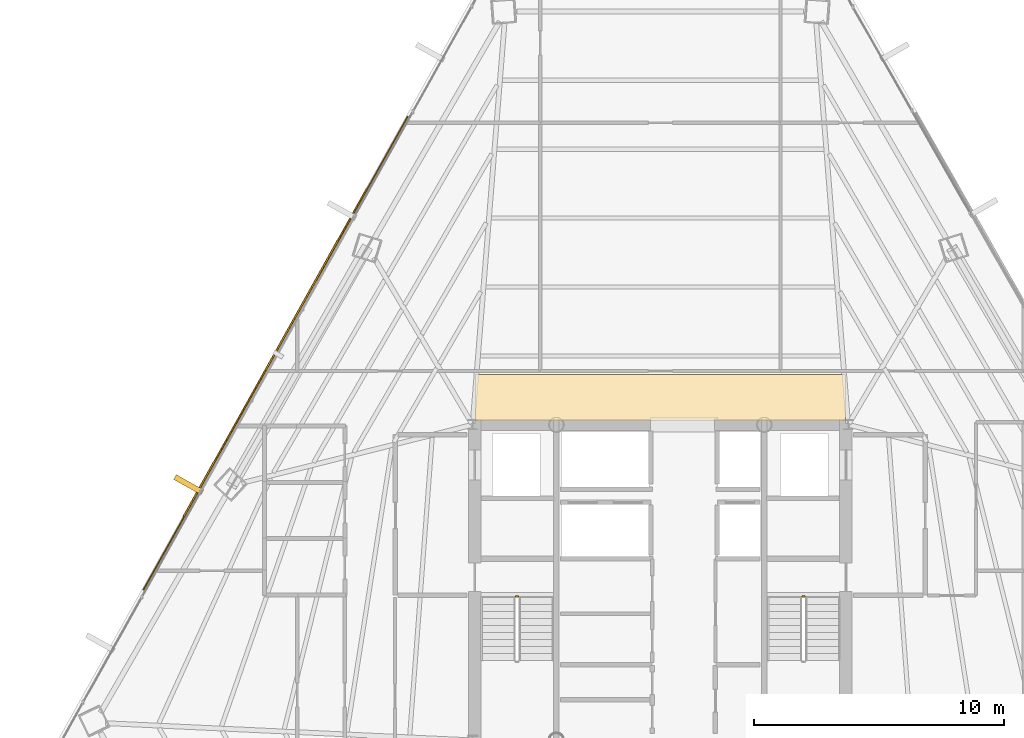
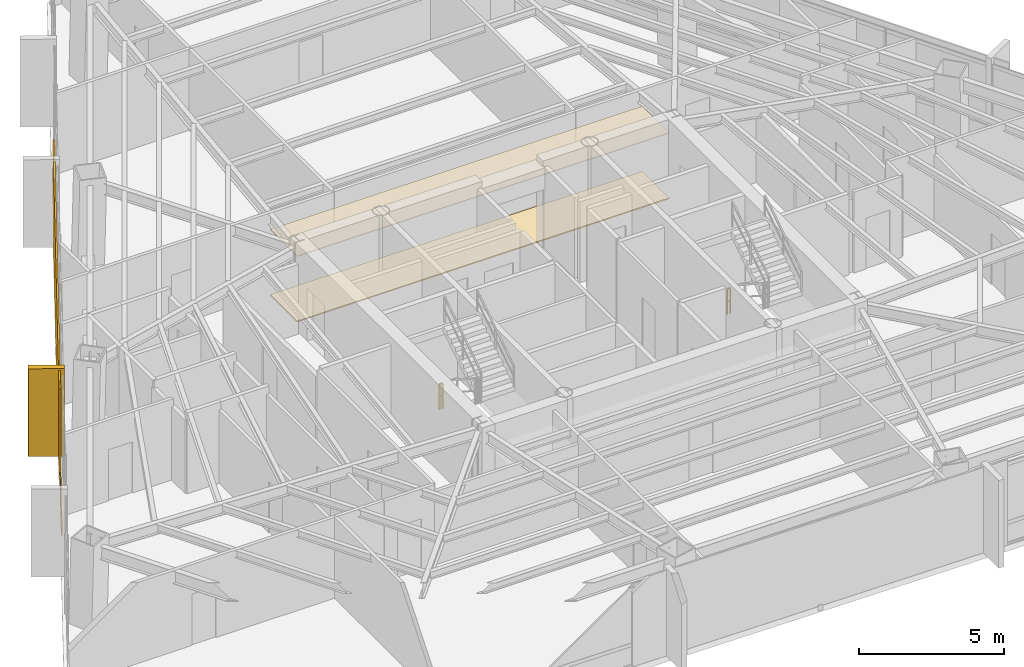
# One storey, part 37 of 38: 4 coverings, 2 railings, 1 shading device.
"""IFC4 building model written with IfcOpenShell, lengths in metres."""

from ifc_helpers import new_model, si_unit, direction, frame, origin, origin_2d, place, context, subcontext, project, spatial, polyline, rectangle, outline, extrude, source, transform, mapped, material, layer, layer_set, type_object, type_shapes, element, save


model = new_model("IFC4")

# Units and contexts
model_context = context("Model", 3, precision=1e-05, world=origin(), true_north=direction((0.0, 1.0)))
body_context = subcontext(model_context, "Body", "Model", "MODEL_VIEW")
ifc_project = project(units=[si_unit("LENGTHUNIT", "METRE"), si_unit("AREAUNIT", "SQUARE_METRE"), si_unit("VOLUMEUNIT", "CUBIC_METRE"), si_unit("PLANEANGLEUNIT", "RADIAN"), si_unit("MASSUNIT", "GRAM", prefix="KILO")], contexts=[model_context])

# Site, building, storey
site_placement = place(None, origin())
site = spatial("IfcSite", under=ifc_project, at=site_placement, CompositionType="ELEMENT")
building_placement = place(site_placement, origin())
building = spatial("IfcBuilding", under=site, at=building_placement, Name="Caelisora Broadcast Tower", CompositionType="ELEMENT")
storey_placement = place(building_placement, frame((0.0, 0.0, 154.85009765625)))
storey = spatial("IfcBuildingStorey", under=building, at=storey_placement, Name="L40", CompositionType="ELEMENT", Elevation=154.85009765625)

# Coverings
ifc_material_1 = material(Name="Perforated Mineral-Fibre Acoustic Ceiling Tile", Category="gypsum")
ifc_layer_1 = layer(ifc_material_1, 0.034912109375, Name="Perforated Mineral-Fibre Acoustic Ceiling Tile")
ifc_layer_set_1 = layer_set([ifc_layer_1], Name="Perforated Mineral-Fibre Acoustic Ceiling Tile")
covering_type_1 = type_object("IfcCoveringType", Name="CE-1", PredefinedType="CEILING", material=ifc_layer_set_1)
covering_1_placement = place(storey_placement, frame((0.0, 0.0, 2.75)))
element("IfcCovering", 1, at=covering_1_placement, inside=storey, type_object=covering_type_1, Name="L40 acoustic corridor ceiling CE-1 (N)", PredefinedType="CEILING", context=body_context, shape_type="SweptSolid", body=[
    extrude(outline(polyline([(30.60009765625, 30.14990234375), (45.39990234375, 30.14990234375), (45.39990234375, 32.0), (30.60009765625, 32.0), (30.60009765625, 30.14990234375)])), origin(), (0.0, 0.0, 1.0), 0.034912109375),
])
ifc_material_2 = material(Name="Anti-Static Broadcast Raised Access Floor Panel", Category="steel")
ifc_layer_2 = layer(ifc_material_2, 0.044921875, Name="Anti-Static Broadcast Raised Access Floor Panel")
ifc_layer_set_2 = layer_set([ifc_layer_2], Name="Anti-Static Broadcast Raised Access Floor Panel")
covering_type_2 = type_object("IfcCoveringType", Name="FL-1", PredefinedType="FLOORING", material=ifc_layer_set_2)
covering_2_placement = place(storey_placement, origin())
element("IfcCovering", 2, at=covering_2_placement, inside=storey, type_object=covering_type_2, Name="L40 broadcast raised access floor FL-1 (N)", PredefinedType="FLOORING", context=body_context, shape_type="SweptSolid", body=[
    extrude(outline(polyline([(30.60009765625, 30.14990234375), (45.39990234375, 30.14990234375), (45.39990234375, 32.0), (30.60009765625, 32.0), (30.60009765625, 30.14990234375)])), origin(), (0.0, 0.0, 1.0), 0.044921875),
])

# Railings
ifc_material_3 = material(Name="Galvanised Steel Safety Guardrail", Category="steel")
ifc_layer_3 = layer(ifc_material_3, 0.048095703125, Name="Galvanised Steel Safety Guardrail")
ifc_layer_set_3 = layer_set([ifc_layer_3], Name="Galvanised Steel Safety Guardrail")
railing_type = type_object("IfcRailingType", Name="GR-1", PredefinedType="GUARDRAIL", material=ifc_layer_set_3)
for number, where, name in (
    (3, (32.219970703125, 23.14990234375, 0.0), "L40 ST-1 stair guard 4"),
    (4, (43.659912109375, 23.14990234375, 0.0), "L40 ST-2 stair guard 4"),
):
    element("IfcRailing", number, at=place(storey_placement, frame(where)), inside=storey, type_object=railing_type, Name=name, PredefinedType="GUARDRAIL", context=body_context, shape_type="SweptSolid", body=[
        extrude(rectangle(XDim=0.048095703125, YDim=0.048095703125, at=origin_2d()), frame((0.0, 0.0, 1.076171875), z_axis=(1.0, 0.0, 0.0), x_axis=(0.0, 1.0, 0.0)), (0.0, 0.0, 1.0), 0.1201171875),
        extrude(rectangle(XDim=0.03125, YDim=0.03125, at=origin_2d()), frame((0.0, 0.0, 0.550048828125), z_axis=(1.0, 0.0, 0.0), x_axis=(0.0, 1.0, 0.0)), (0.0, 0.0, 1.0), 0.1201171875),
        extrude(rectangle(XDim=0.0419921875, YDim=0.0419921875, at=origin_2d()), origin(), (0.0, 0.0, 1.0), 1.052001953125),
        extrude(rectangle(XDim=0.0419921875, YDim=0.0419921875, at=origin_2d()), frame((0.1201171875, 0.0, 0.0)), (0.0, 0.0, 1.0), 1.052001953125),
    ])

# Covering
ifc_material_4 = material(Name="Kiln-Fired Terracotta Spandrel Rainscreen Cladding", Category="ceramic")
ifc_layer_4 = layer(ifc_material_4, 0.044921875, Name="Kiln-Fired Terracotta Spandrel Rainscreen Cladding")
ifc_layer_set_4 = layer_set([ifc_layer_4], Name="Kiln-Fired Terracotta Spandrel Rainscreen Cladding")
covering_type_3 = type_object("IfcCoveringType", Name="CL-1", PredefinedType="CLADDING", material=ifc_layer_set_4)
shared_shape_1 = source(origin(), body_context, "Body", "SweptSolid", [
    extrude(rectangle(XDim=0.219970703125, YDim=1.25, at=origin_2d()), origin(), (0.0, 0.0, 1.0), 3.68994140625),
])
covering_3_placement = place(storey_placement, frame((19.16455078125, 27.606689453125, -0.02001953125), z_axis=(0.0, 0.0, 1.0), x_axis=(0.487707298065, 0.873007211547, 0.0)))
element("IfcCovering", 5, at=covering_3_placement, inside=storey, type_object=covering_type_3, Name="L40 vertical solar fin cladding #3-2", PredefinedType="CLADDING", context=body_context, shape_type="MappedRepresentation", body=[
    mapped(shared_shape_1, transform((0.0, 0.0, 0.0), scale=1.0)),
])

# Shading device
ifc_material_5 = material(Name="Perforated Glazed Terracotta Baguette Solar Screen", Category="ceramic")
ifc_layer_5 = layer(ifc_material_5, 0.06494140625, Name="Perforated Glazed Terracotta Baguette Solar Screen")
ifc_layer_set_5 = layer_set([ifc_layer_5], Name="Perforated Glazed Terracotta Baguette Solar Screen")
shading_device_type = type_object("IfcShadingDeviceType", Name="SS-1", PredefinedType="USERDEFINED", material=ifc_layer_set_5)
shared_shape_2 = source(origin(), body_context, "Body", "SweptSolid", [
    extrude(rectangle(XDim=14.989990234375, YDim=0.06494140625, at=origin_2d()), origin(), (0.0, 0.0, 1.0), 3.590087890625),
])
type_shapes(shading_device_type, [shared_shape_2])
shading_device_placement = place(storey_placement, frame((22.618896484375, 32.868408203125, 0.0), z_axis=(0.0, 0.0, 1.0), x_axis=(-0.487707298065, -0.873007211547, 0.0)))
element("IfcShadingDevice", 6, at=shading_device_placement, inside=storey, type_object=shading_device_type, Name="L40 perforated terracotta solar screen #1", ObjectType="SOLAR SCREEN", PredefinedType="USERDEFINED", context=body_context, shape_type="MappedRepresentation", body=[
    mapped(shared_shape_2, transform((0.0, 0.0, 0.0), scale=1.0)),
])

# Covering
shared_shape_3 = source(origin(), body_context, "Body", "SweptSolid", [
    extrude(rectangle(XDim=21.652099609375, YDim=0.044921875, at=origin_2d()), origin(), (0.0, 0.0, 1.0), 0.340087890625),
])
type_shapes(covering_type_3, [shared_shape_1, shared_shape_3])
covering_4_placement = place(storey_placement, frame((22.636474609375, 32.858642578125, -0.27001953125), z_axis=(0.0, 0.0, 1.0), x_axis=(-0.487707298065, -0.873007211547, 0.0)))
element("IfcCovering", 7, at=covering_4_placement, inside=storey, type_object=covering_type_3, Name="L40 terracotta spandrel rainscreen #1", PredefinedType="CLADDING", context=body_context, shape_type="MappedRepresentation", body=[
    mapped(shared_shape_3, transform((0.0, 0.0, 0.0), scale=1.0)),
])

save(model, "model.ifc")
